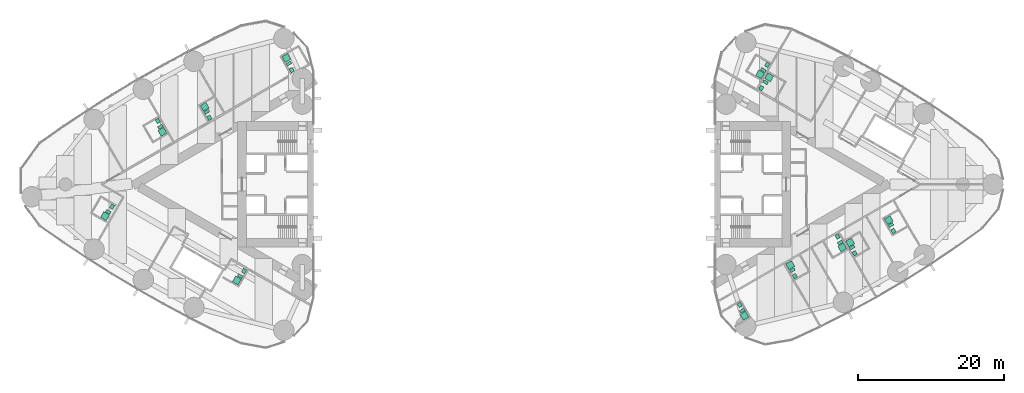
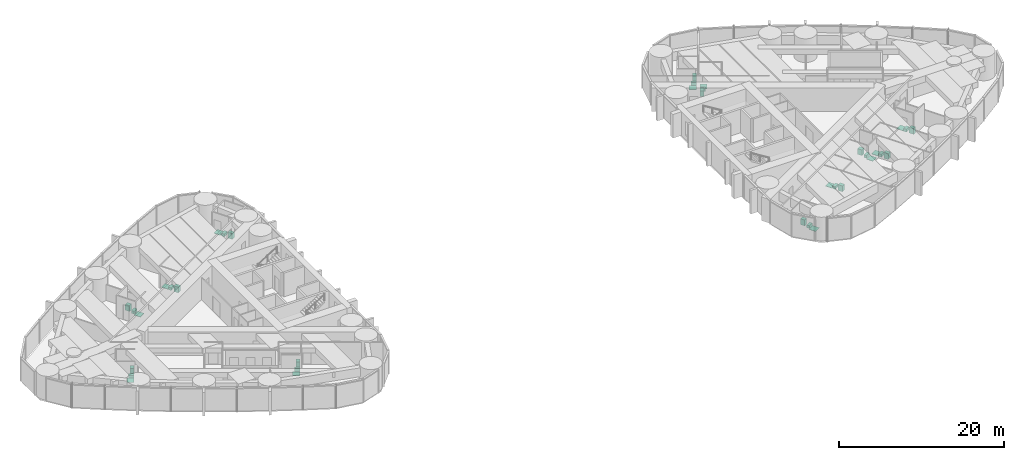
# One storey, part 19 of 19: 16 sanitary terminals.
"""IFC4 building model written with IfcOpenShell, lengths in metres."""

import ifcopenshell
import ifcopenshell.guid

model = None  # the IFC model being written
_history = None  # IfcOwnerHistory: only IFC2X3 demands one
_inside = {}  # id of a spatial element -> (the spatial element, [elements in it])
_under = {}  # id of a project, library or spatial element -> (it, [spatial elements below it])
_declared = {}  # id of a project -> (the project, [libraries it declares])
_typed = {}  # id of a type object -> (the type object, [elements of that type])
_made_of = {}  # id of a material, layer set ... -> (it, [elements and type objects made of it])


def new_model(schema):
    """Start an empty IFC model of exactly this schema.

    Asked for "IFC4X3", IfcOpenShell would pick the latest addendum, in which some entities
    have other attributes; the version numbers below select the first issue.
    IFC2X3 requires an IfcOwnerHistory on every rooted entity: one is made here for all.
    """
    global model, _history
    if schema == "IFC4X3":
        model = ifcopenshell.file(schema_version=(4, 3, 0, 0))
    else:
        model = ifcopenshell.file(schema=schema)
    _inside.clear()
    _under.clear()
    _declared.clear()
    _typed.clear()
    _made_of.clear()
    _history = None
    if model.schema == "IFC2X3":
        org = make("IfcOrganization", Name="unknown")
        user = make(
            "IfcPersonAndOrganization",
            ThePerson=make("IfcPerson", FamilyName="unknown"),
            TheOrganization=org,
        )
        app = make(
            "IfcApplication",
            ApplicationDeveloper=org,
            Version="unknown",
            ApplicationFullName="unknown",
            ApplicationIdentifier="unknown",
        )
        _history = make(
            "IfcOwnerHistory",
            OwningUser=user,
            OwningApplication=app,
            ChangeAction="ADDED",
            CreationDate=0,
        )
    return model


def make(cls, **values):
    """One entity of the class cls with the attributes given. An attribute that is None is left unset."""
    return model.create_entity(
        cls, **{name: value for name, value in values.items() if value is not None}
    )


def rooted(cls, **values):
    """An entity with a GlobalId (a new one), such as an element, a storey or a relation."""
    return make(cls, GlobalId=ifcopenshell.guid.new(), OwnerHistory=_history, **values)


def si_unit(unit_type, name, prefix=None):
    """IfcSIUnit, for example si_unit("LENGTHUNIT", "METRE", prefix="MILLI")."""
    return make("IfcSIUnit", UnitType=unit_type, Prefix=prefix, Name=name)


def assignment(units):
    """IfcUnitAssignment: the units of a project."""
    return None if units is None else make("IfcUnitAssignment", Units=units)


def point(xyz):
    """IfcCartesianPoint."""
    return None if xyz is None else make("IfcCartesianPoint", Coordinates=xyz)


def direction(xyz):
    """IfcDirection."""
    return None if xyz is None else make("IfcDirection", DirectionRatios=xyz)


def frame(location, z_axis=None, x_axis=None):
    """IfcAxis2Placement3D, a coordinate frame: its origin and axes. An axis left out is left unset."""
    return make(
        "IfcAxis2Placement3D",
        Location=point(location),
        Axis=direction(z_axis),
        RefDirection=direction(x_axis),
    )


def frame_2d(location, x_axis=None):
    """IfcAxis2Placement2D, a coordinate frame in the plane: its origin and x axis."""
    return make(
        "IfcAxis2Placement2D", Location=point(location), RefDirection=direction(x_axis)
    )


def origin():
    """The frame at (0, 0, 0) with its axes left unset."""
    return frame((0.0, 0.0, 0.0))


def origin_2d():
    """The frame at (0, 0) in the plane with its x axis left unset."""
    return frame_2d((0.0, 0.0))


def place(relative_to, where):
    """IfcLocalPlacement: puts the frame where relative to a parent placement (None: the world)."""
    return make(
        "IfcLocalPlacement", PlacementRelTo=relative_to, RelativePlacement=where
    )


def context(
    kind, dimensions, precision=None, world=None, true_north=None, identifier=None
):
    """IfcGeometricRepresentationContext, for example the 3D "Model" context."""
    return make(
        "IfcGeometricRepresentationContext",
        ContextIdentifier=identifier,
        ContextType=kind,
        CoordinateSpaceDimension=dimensions,
        Precision=precision,
        WorldCoordinateSystem=world,
        TrueNorth=true_north,
    )


def subcontext(parent, identifier, kind, view, scale=None):
    """IfcGeometricRepresentationSubContext, for example "Body" below "Model"."""
    return make(
        "IfcGeometricRepresentationSubContext",
        ContextIdentifier=identifier,
        ContextType=kind,
        ParentContext=parent,
        TargetScale=scale,
        TargetView=view,
    )


def project(units=None, contexts=None):
    """IfcProject with its units and contexts."""
    return rooted(
        "IfcProject",
        Name="project",
        RepresentationContexts=contexts,
        UnitsInContext=assignment(units),
    )


def spatial(cls, under=None, at=None, **own):
    """A site, building, storey or space (cls), placed at a placement, below another one or the project."""
    s = rooted(cls, ObjectPlacement=at, **own)
    if under is not None:
        _under.setdefault(under.id(), (under, []))[1].append(s)
    return s


def profile(cls, at=None, kind="AREA", **sizes):
    """A parametric profile (cls). Its sizes go by their IFC names, for example OverallWidth=200.0."""
    return make(cls, ProfileType=kind, Position=at, **sizes)


def rectangle(**sizes):
    """IfcRectangleProfileDef."""
    return profile("IfcRectangleProfileDef", **sizes)


def extrude(swept, where, along, depth):
    """IfcExtrudedAreaSolid: the profile swept, set in the frame where, extruded along a direction by depth."""
    return make(
        "IfcExtrudedAreaSolid",
        SweptArea=swept,
        Position=where,
        ExtrudedDirection=direction(along),
        Depth=depth,
    )


def shape(context_of_items, identifier, shape_type, items):
    """IfcShapeRepresentation: the items that make up one representation, for example the "Body"."""
    return make(
        "IfcShapeRepresentation",
        ContextOfItems=context_of_items,
        RepresentationIdentifier=identifier,
        RepresentationType=shape_type,
        Items=items,
    )


def material(Name=None, Category=None):
    """IfcMaterial."""
    return make("IfcMaterial", Name=Name, Category=Category)


def made_of(thing, what):
    """Note that an element or type object is made of a material, layer set ...; save() writes the relation."""
    if what is not None:
        _made_of.setdefault(what.id(), (what, []))[1].append(thing)
    return thing


def type_object(cls, material=None, **own):
    """A type object (cls), such as IfcWallType, which elements share."""
    return made_of(rooted(cls, **own), material)


def element(
    cls,
    number,
    at=None,
    inside=None,
    cuts=None,
    type_object=None,
    material=None,
    context=None,
    identifier="Body",
    shape_type=None,
    held_by="IfcProductDefinitionShape",
    body=None,
    shapes=None,
    **own,
):
    """One element of the class cls, such as IfcWall. Its Tag is "e" and its number.

    at: its placement. inside: the storey or other place that contains it. cuts: it is an
    opening in that element (IfcRelVoidsElement). A single representation is given by context,
    identifier, shape_type and body (its items); several are given by shapes. held_by: the class
    of the entity that holds the representations. save() writes the other relations.
    """
    e = rooted(cls, Tag="e%d" % number, ObjectPlacement=at, **own)
    if body is not None:
        shapes = [shape(context, identifier, shape_type, body)]
    if shapes is not None:
        e.Representation = make(held_by, Representations=shapes)
    if inside is not None:
        _inside.setdefault(inside.id(), (inside, []))[1].append(e)
    if cuts is not None:
        rooted(
            "IfcRelVoidsElement", RelatingBuildingElement=cuts, RelatedOpeningElement=e
        )
    if type_object is not None:
        _typed.setdefault(type_object.id(), (type_object, []))[1].append(e)
    return made_of(e, material)


def aggregate(whole, parts):
    """IfcRelAggregates: a whole, such as a stair, and the parts it consists of."""
    return rooted("IfcRelAggregates", RelatingObject=whole, RelatedObjects=parts)


def save(model, path):
    """Write the relations noted so far, then the file.

    IfcRelAggregates (storeys below a building ...), IfcRelContainedInSpatialStructure (elements
    in a storey), IfcRelDefinesByType, IfcRelAssociatesMaterial and IfcRelDeclares: one each for
    every whole, place, type object, material and project.
    """
    for whole, parts in _under.values():
        aggregate(whole, parts)
    for where, things in _inside.values():
        rooted(
            "IfcRelContainedInSpatialStructure",
            RelatedElements=things,
            RelatingStructure=where,
        )
    for kind, things in _typed.values():
        rooted("IfcRelDefinesByType", RelatedObjects=things, RelatingType=kind)
    for what, things in _made_of.values():
        rooted("IfcRelAssociatesMaterial", RelatedObjects=things, RelatingMaterial=what)
    for by, libraries in _declared.values():
        rooted("IfcRelDeclares", RelatingContext=by, RelatedDefinitions=libraries)
    model.write(path)


model = new_model("IFC4")

# Units and contexts
model_context = context("Model", 3, precision=1e-05, world=origin(), true_north=direction((0.0, 1.0)))
body_context = subcontext(model_context, "Body", "Model", "MODEL_VIEW")
ifc_project = project(units=[si_unit("LENGTHUNIT", "METRE"), si_unit("AREAUNIT", "SQUARE_METRE"), si_unit("VOLUMEUNIT", "CUBIC_METRE"), si_unit("PLANEANGLEUNIT", "RADIAN"), si_unit("MASSUNIT", "GRAM", prefix="KILO")], contexts=[model_context])

# Site, building, storey
site_placement = place(None, origin())
site = spatial("IfcSite", under=ifc_project, at=site_placement, CompositionType="ELEMENT")
building_placement = place(site_placement, origin())
building = spatial("IfcBuilding", under=site, at=building_placement, Name="Lancet Gate Hotel", CompositionType="ELEMENT")
storey_placement = place(building_placement, frame((0.0, 0.0, 198.300048828125)))
storey = spatial("IfcBuildingStorey", under=building, at=storey_placement, Name="L53", CompositionType="ELEMENT", Elevation=198.300048828125)

# Sanitary terminals
ifc_material_1 = material(Name="Vitreous china sanitary ware")
sanitary_terminal_type_1 = type_object("IfcSanitaryTerminalType", Name="En-suite sanitary set (shower, WC, basin)", PredefinedType="USERDEFINED", material=ifc_material_1)
sanitary_terminal_1_placement = place(storey_placement, frame((-42.419189453125, 10.628662109375, 0.0), z_axis=(0.0, 0.0, 1.0), x_axis=(1.0, 0.0, 0.0)))
element("IfcSanitaryTerminal", 1, at=sanitary_terminal_1_placement, inside=storey, type_object=sanitary_terminal_type_1, Name="En-suite sanitary set (shower, WC, basin) 5302", ObjectType="EN-SUITE SANITARY SET", PredefinedType="USERDEFINED", context=body_context, shape_type="SweptSolid", body=[
    extrude(rectangle(XDim=0.89990234375, YDim=0.89990234375, at=origin_2d()), frame((0.0, 0.0, 0.0), z_axis=(0.0, 0.0, 1.0), x_axis=(-0.5, 0.866025403784, 0.0)), (0.0, 0.0, 1.0), 0.050048828125),
    extrude(rectangle(XDim=0.39990234375, YDim=0.699951171875, at=origin_2d()), frame((0.278564453125, -0.682373046875, 0.0), z_axis=(0.0, 0.0, 1.0), x_axis=(-0.5, 0.866025403784, 0.0)), (0.0, 0.0, 1.0), 0.39990234375),
    extrude(rectangle(XDim=0.60009765625, YDim=0.5, at=origin_2d()), frame((0.6318359375, -1.494384765625, 0.0), z_axis=(0.0, 0.0, 1.0), x_axis=(-0.5, 0.866025403784, 0.0)), (0.0, 0.0, 1.0), 0.85009765625),
])
sanitary_terminal_2_placement = place(storey_placement, frame((-48.222412109375, 7.208740234375, 0.0), z_axis=(0.0, 0.0, 1.0), x_axis=(1.0, 0.0, 0.0)))
element("IfcSanitaryTerminal", 2, at=sanitary_terminal_2_placement, inside=storey, type_object=sanitary_terminal_type_1, Name="En-suite sanitary set (shower, WC, basin) 5303", ObjectType="EN-SUITE SANITARY SET", PredefinedType="USERDEFINED", context=body_context, shape_type="SweptSolid", body=[
    extrude(rectangle(XDim=0.89990234375, YDim=0.89990234375, at=origin_2d()), frame((0.0, 0.0, 0.0), z_axis=(0.0, 0.0, 1.0), x_axis=(0.5, -0.866025403784, 0.0)), (0.0, 0.0, 1.0), 0.050048828125),
    extrude(rectangle(XDim=0.39990234375, YDim=0.699951171875, at=origin_2d()), frame((-0.2783203125, 0.68212890625, 0.0), z_axis=(0.0, 0.0, 1.0), x_axis=(0.5, -0.866025403784, 0.0)), (0.0, 0.0, 1.0), 0.39990234375),
    extrude(rectangle(XDim=0.60009765625, YDim=0.5, at=origin_2d()), frame((-0.6318359375, 1.494140625, 0.0), z_axis=(0.0, 0.0, 1.0), x_axis=(0.5, -0.866025403784, 0.0)), (0.0, 0.0, 1.0), 0.85009765625),
])
sanitary_terminal_3_placement = place(storey_placement, frame((-56.092041015625, -4.35107421875, 0.0), z_axis=(0.0, 0.0, 1.0), x_axis=(1.0, 0.0, 0.0)))
element("IfcSanitaryTerminal", 3, at=sanitary_terminal_3_placement, inside=storey, type_object=sanitary_terminal_type_1, Name="En-suite sanitary set (shower, WC, basin) 5305", ObjectType="EN-SUITE SANITARY SET", PredefinedType="USERDEFINED", context=body_context, shape_type="SweptSolid", body=[
    extrude(rectangle(XDim=0.89990234375, YDim=0.89990234375, at=origin_2d()), frame((0.0, 0.0, 0.0), z_axis=(0.0, 0.0, 1.0), x_axis=(-0.5, -0.866025403784, 0.0)), (0.0, 0.0, 1.0), 0.050048828125),
    extrude(rectangle(XDim=0.39990234375, YDim=0.699951171875, at=origin_2d()), frame((0.45166015625, 0.582275390625, 0.0), z_axis=(0.0, 0.0, 1.0), x_axis=(-0.5, -0.866025403784, 0.0)), (0.0, 0.0, 1.0), 0.39990234375),
    extrude(rectangle(XDim=0.60009765625, YDim=0.5, at=origin_2d()), frame((0.97802734375, 1.29443359375, 0.0), z_axis=(0.0, 0.0, 1.0), x_axis=(-0.5, -0.866025403784, 0.0)), (0.0, 0.0, 1.0), 0.85009765625),
])
sanitary_terminal_4_placement = place(storey_placement, frame((-38.01171875, -13.173095703125, 0.0), z_axis=(0.0, 0.0, 1.0), x_axis=(1.0, 0.0, 0.0)))
element("IfcSanitaryTerminal", 4, at=sanitary_terminal_4_placement, inside=storey, type_object=sanitary_terminal_type_1, Name="En-suite sanitary set (shower, WC, basin) 5308", ObjectType="EN-SUITE SANITARY SET", PredefinedType="USERDEFINED", context=body_context, shape_type="SweptSolid", body=[
    extrude(rectangle(XDim=0.89990234375, YDim=0.89990234375, at=origin_2d()), frame((0.0, 0.0, 0.0), z_axis=(0.0, 0.0, 1.0), x_axis=(-0.5, -0.866025403784, 0.0)), (0.0, 0.0, 1.0), 0.050048828125),
    extrude(rectangle(XDim=0.39990234375, YDim=0.699951171875, at=origin_2d()), frame((0.45166015625, 0.58203125, 0.0), z_axis=(0.0, 0.0, 1.0), x_axis=(-0.5, -0.866025403784, 0.0)), (0.0, 0.0, 1.0), 0.39990234375),
    extrude(rectangle(XDim=0.60009765625, YDim=0.5, at=origin_2d()), frame((0.978271484375, 1.294189453125, 0.0), z_axis=(0.0, 0.0, 1.0), x_axis=(-0.5, -0.866025403784, 0.0)), (0.0, 0.0, 1.0), 0.85009765625),
])
sanitary_terminal_5_placement = place(storey_placement, frame((31.569091796875, -18.00927734375, 0.0), z_axis=(0.0, 0.0, 1.0), x_axis=(1.0, 0.0, 0.0)))
element("IfcSanitaryTerminal", 5, at=sanitary_terminal_5_placement, inside=storey, type_object=sanitary_terminal_type_1, Name="En-suite sanitary set (shower, WC, basin) 5351", ObjectType="EN-SUITE SANITARY SET", PredefinedType="USERDEFINED", context=body_context, shape_type="SweptSolid", body=[
    extrude(rectangle(XDim=0.89990234375, YDim=0.89990234375, at=origin_2d()), frame((0.0, 0.0, 0.0), z_axis=(0.0, 0.0, 1.0), x_axis=(0.5, -0.866025403784, 0.0)), (0.0, 0.0, 1.0), 0.050048828125),
    extrude(rectangle(XDim=0.39990234375, YDim=0.699951171875, at=origin_2d()), frame((-0.2783203125, 0.68212890625, 0.0), z_axis=(0.0, 0.0, 1.0), x_axis=(0.5, -0.866025403784, 0.0)), (0.0, 0.0, 1.0), 0.39990234375),
    extrude(rectangle(XDim=0.60009765625, YDim=0.5, at=origin_2d()), frame((-0.6318359375, 1.494384765625, 0.0), z_axis=(0.0, 0.0, 1.0), x_axis=(0.5, -0.866025403784, 0.0)), (0.0, 0.0, 1.0), 0.85009765625),
])
sanitary_terminal_6_placement = place(storey_placement, frame((37.86572265625, -11.071533203125, 0.0), z_axis=(0.0, 0.0, 1.0), x_axis=(1.0, 0.0, 0.0)))
element("IfcSanitaryTerminal", 6, at=sanitary_terminal_6_placement, inside=storey, type_object=sanitary_terminal_type_1, Name="En-suite sanitary set (shower, WC, basin) 5353", ObjectType="EN-SUITE SANITARY SET", PredefinedType="USERDEFINED", context=body_context, shape_type="SweptSolid", body=[
    extrude(rectangle(XDim=0.89990234375, YDim=0.89990234375, at=origin_2d()), frame((0.0, 0.0, 0.0), z_axis=(0.0, 0.0, 1.0), x_axis=(-0.5, 0.866025403784, 0.0)), (0.0, 0.0, 1.0), 0.050048828125),
    extrude(rectangle(XDim=0.39990234375, YDim=0.699951171875, at=origin_2d()), frame((0.2783203125, -0.682373046875, 0.0), z_axis=(0.0, 0.0, 1.0), x_axis=(-0.5, 0.866025403784, 0.0)), (0.0, 0.0, 1.0), 0.39990234375),
    extrude(rectangle(XDim=0.60009765625, YDim=0.5, at=origin_2d()), frame((0.6318359375, -1.494384765625, 0.0), z_axis=(0.0, 0.0, 1.0), x_axis=(-0.5, 0.866025403784, 0.0)), (0.0, 0.0, 1.0), 0.85009765625),
])
sanitary_terminal_7_placement = place(storey_placement, frame((44.977783203125, -8.651123046875, 0.0), z_axis=(0.0, 0.0, 1.0), x_axis=(1.0, 0.0, 0.0)))
element("IfcSanitaryTerminal", 7, at=sanitary_terminal_7_placement, inside=storey, type_object=sanitary_terminal_type_1, Name="En-suite sanitary set (shower, WC, basin) 5354", ObjectType="EN-SUITE SANITARY SET", PredefinedType="USERDEFINED", context=body_context, shape_type="SweptSolid", body=[
    extrude(rectangle(XDim=0.89990234375, YDim=0.89990234375, at=origin_2d()), frame((0.0, 0.0, 0.0), z_axis=(0.0, 0.0, 1.0), x_axis=(0.5, -0.866025403784, 0.0)), (0.0, 0.0, 1.0), 0.050048828125),
    extrude(rectangle(XDim=0.39990234375, YDim=0.699951171875, at=origin_2d()), frame((-0.2783203125, 0.68212890625, 0.0), z_axis=(0.0, 0.0, 1.0), x_axis=(0.5, -0.866025403784, 0.0)), (0.0, 0.0, 1.0), 0.39990234375),
    extrude(rectangle(XDim=0.60009765625, YDim=0.5, at=origin_2d()), frame((-0.631591796875, 1.494140625, 0.0), z_axis=(0.0, 0.0, 1.0), x_axis=(0.5, -0.866025403784, 0.0)), (0.0, 0.0, 1.0), 0.85009765625),
])
sanitary_terminal_8_placement = place(storey_placement, frame((46.06494140625, -7.954345703125, 0.0), z_axis=(0.0, 0.0, 1.0), x_axis=(1.0, 0.0, 0.0)))
element("IfcSanitaryTerminal", 8, at=sanitary_terminal_8_placement, inside=storey, type_object=sanitary_terminal_type_1, Name="En-suite sanitary set (shower, WC, basin) 5355", ObjectType="EN-SUITE SANITARY SET", PredefinedType="USERDEFINED", context=body_context, shape_type="SweptSolid", body=[
    extrude(rectangle(XDim=0.89990234375, YDim=0.89990234375, at=origin_2d()), frame((0.0, 0.0, 0.0), z_axis=(0.0, 0.0, 1.0), x_axis=(-0.5, 0.866025403784, 0.0)), (0.0, 0.0, 1.0), 0.050048828125),
    extrude(rectangle(XDim=0.39990234375, YDim=0.699951171875, at=origin_2d()), frame((0.278564453125, -0.68212890625, 0.0), z_axis=(0.0, 0.0, 1.0), x_axis=(-0.5, 0.866025403784, 0.0)), (0.0, 0.0, 1.0), 0.39990234375),
    extrude(rectangle(XDim=0.60009765625, YDim=0.5, at=origin_2d()), frame((0.6318359375, -1.494140625, 0.0), z_axis=(0.0, 0.0, 1.0), x_axis=(-0.5, 0.866025403784, 0.0)), (0.0, 0.0, 1.0), 0.85009765625),
])
sanitary_terminal_9_placement = place(storey_placement, frame((51.360595703125, -4.89697265625, 0.0), z_axis=(0.0, 0.0, 1.0), x_axis=(1.0, 0.0, 0.0)))
element("IfcSanitaryTerminal", 9, at=sanitary_terminal_9_placement, inside=storey, type_object=sanitary_terminal_type_1, Name="En-suite sanitary set (shower, WC, basin) 5356", ObjectType="EN-SUITE SANITARY SET", PredefinedType="USERDEFINED", context=body_context, shape_type="SweptSolid", body=[
    extrude(rectangle(XDim=0.89990234375, YDim=0.89990234375, at=origin_2d()), frame((0.0, 0.0, 0.0), z_axis=(0.0, 0.0, 1.0), x_axis=(-0.5, 0.866025403784, 0.0)), (0.0, 0.0, 1.0), 0.050048828125),
    extrude(rectangle(XDim=0.39990234375, YDim=0.699951171875, at=origin_2d()), frame((0.2783203125, -0.68212890625, 0.0), z_axis=(0.0, 0.0, 1.0), x_axis=(-0.5, 0.866025403784, 0.0)), (0.0, 0.0, 1.0), 0.39990234375),
    extrude(rectangle(XDim=0.60009765625, YDim=0.5, at=origin_2d()), frame((0.631591796875, -1.494140625, 0.0), z_axis=(0.0, 0.0, 1.0), x_axis=(-0.5, 0.866025403784, 0.0)), (0.0, 0.0, 1.0), 0.85009765625),
])
sanitary_terminal_10_placement = place(storey_placement, frame((33.7099609375, 15.08740234375, 0.0), z_axis=(0.0, 0.0, 1.0), x_axis=(1.0, 0.0, 0.0)))
element("IfcSanitaryTerminal", 10, at=sanitary_terminal_10_placement, inside=storey, type_object=sanitary_terminal_type_1, Name="En-suite sanitary set (shower, WC, basin) 5364", ObjectType="EN-SUITE SANITARY SET", PredefinedType="USERDEFINED", context=body_context, shape_type="SweptSolid", body=[
    extrude(rectangle(XDim=0.89990234375, YDim=0.89990234375, at=origin_2d()), frame((0.0, 0.0, 0.0), z_axis=(0.0, 0.0, 1.0), x_axis=(-0.5, -0.866025403784, 0.0)), (0.0, 0.0, 1.0), 0.050048828125),
    extrude(rectangle(XDim=0.39990234375, YDim=0.699951171875, at=origin_2d()), frame((0.45166015625, 0.582275390625, 0.0), z_axis=(0.0, 0.0, 1.0), x_axis=(-0.5, -0.866025403784, 0.0)), (0.0, 0.0, 1.0), 0.39990234375),
    extrude(rectangle(XDim=0.60009765625, YDim=0.5, at=origin_2d()), frame((0.978271484375, 1.29443359375, 0.0), z_axis=(0.0, 0.0, 1.0), x_axis=(-0.5, -0.866025403784, 0.0)), (0.0, 0.0, 1.0), 0.85009765625),
])
ifc_material_2 = material(Name="Stone resin shower tray", Category="masonry")
sanitary_terminal_type_2 = type_object("IfcSanitaryTerminalType", Name="Shower tray 900", PredefinedType="SHOWER", material=ifc_material_2)
for number, where, z_axis, x_axis, name in (
    (11, (-31.216064453125, 17.327392578125, 0.0), (0.0, 0.0, 1.0), (-0.5, 0.866025403784, 0.0), "Shower tray 900 5301"),
    (12, (34.957275390625, 14.66748046875, 0.0), (0.0, 0.0, 1.0), (0.5, 0.866025403784, 0.0), "Shower tray 900 5362"),
):
    element("IfcSanitaryTerminal", number, at=place(storey_placement, frame(where, z_axis=z_axis, x_axis=x_axis)), inside=storey, type_object=sanitary_terminal_type_2, Name=name, PredefinedType="SHOWER", context=body_context, shape_type="SweptSolid", body=[
        extrude(rectangle(XDim=0.89990234375, YDim=0.89990234375, at=origin_2d()), origin(), (0.0, 0.0, 1.0), 0.050048828125),
    ])
ifc_material_3 = material(Name="Vitreous china sanitary ware")
sanitary_terminal_type_3 = type_object("IfcSanitaryTerminalType", Name="Vanity basin 600", PredefinedType="WASHHANDBASIN", material=ifc_material_3)
for number, where, z_axis, x_axis, name in (
    (13, (-30.484375, 15.659912109375, 0.0), (0.0, 0.0, 1.0), (-0.5, 0.866025403784, 0.0), "Vanity basin 600 5301"),
    (14, (33.87890625, 13.2001953125, 0.0), (0.0, 0.0, 1.0), (0.5, 0.866025403784, 0.0), "Vanity basin 600 5362"),
):
    element("IfcSanitaryTerminal", number, at=place(storey_placement, frame(where, z_axis=z_axis, x_axis=x_axis)), inside=storey, type_object=sanitary_terminal_type_3, Name=name, PredefinedType="WASHHANDBASIN", context=body_context, shape_type="SweptSolid", body=[
        extrude(rectangle(XDim=0.60009765625, YDim=0.5, at=origin_2d()), origin(), (0.0, 0.0, 1.0), 0.85009765625),
    ])
ifc_material_4 = material(Name="Vitreous china sanitary ware")
sanitary_terminal_type_4 = type_object("IfcSanitaryTerminalType", Name="WC pan wall hung", PredefinedType="TOILETPAN", material=ifc_material_4)
for number, where, z_axis, x_axis, name in (
    (15, (-30.8876953125, 16.55859375, 0.0), (0.0, 0.0, 1.0), (-0.5, 0.866025403784, 0.0), "WC pan wall hung 5301"),
    (16, (34.45556640625, 13.998779296875, 0.0), (0.0, 0.0, 1.0), (0.5, 0.866025403784, 0.0), "WC pan wall hung 5362"),
):
    element("IfcSanitaryTerminal", number, at=place(storey_placement, frame(where, z_axis=z_axis, x_axis=x_axis)), inside=storey, type_object=sanitary_terminal_type_4, Name=name, PredefinedType="TOILETPAN", context=body_context, shape_type="SweptSolid", body=[
        extrude(rectangle(XDim=0.39990234375, YDim=0.699951171875, at=origin_2d()), origin(), (0.0, 0.0, 1.0), 0.39990234375),
    ])

save(model, "model.ifc")
